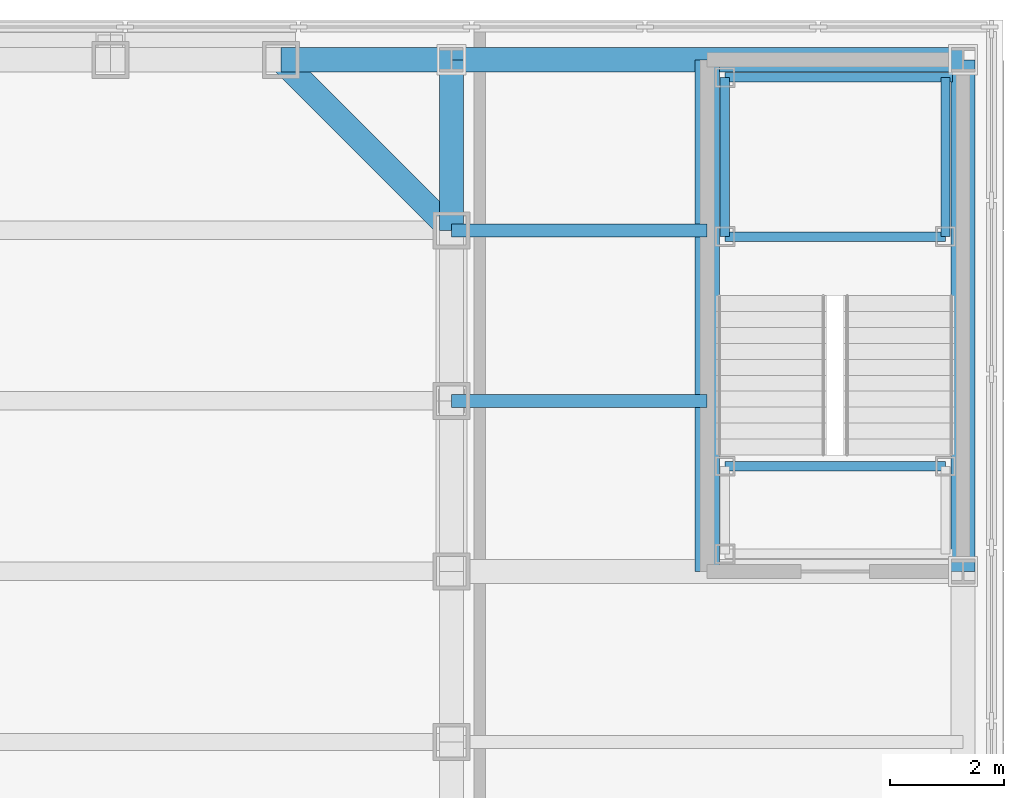
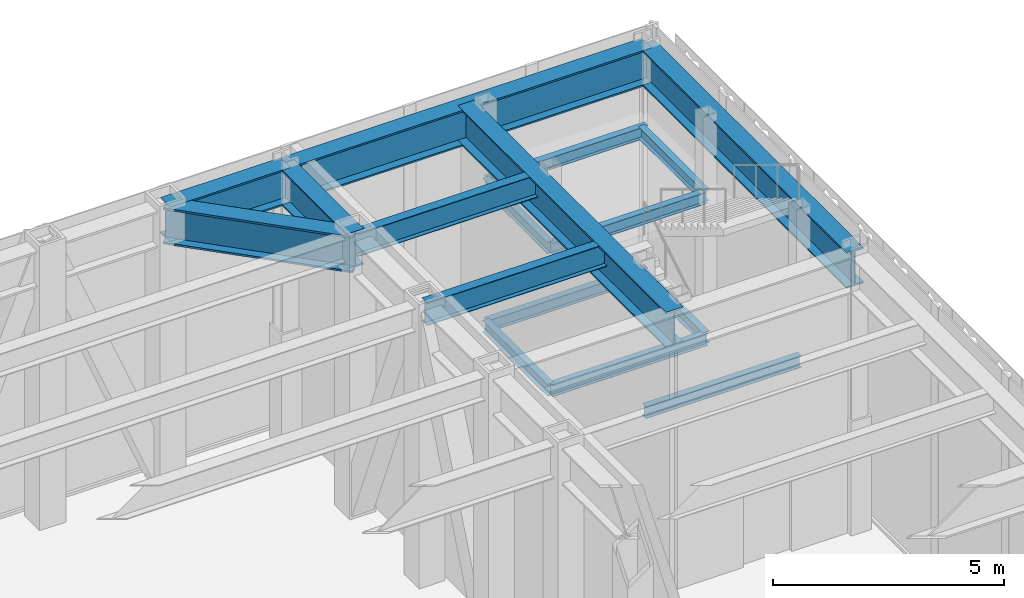
# One storey, part 8 of 34: 17 beams.
"""IFC4 building model written with IfcOpenShell, lengths in metres."""

from ifc_helpers import new_model, si_unit, direction, frame, origin, origin_2d, place, context, subcontext, project, spatial, i_section, extrude, material, material_profile, profile_set, type_object, element, save


model = new_model("IFC4")

# Units and contexts
model_context = context("Model", 3, precision=1e-05, world=origin(), true_north=direction((0.0, 1.0)))
body_context = subcontext(model_context, "Body", "Model", "MODEL_VIEW")
ifc_project = project(units=[si_unit("LENGTHUNIT", "METRE"), si_unit("AREAUNIT", "SQUARE_METRE"), si_unit("VOLUMEUNIT", "CUBIC_METRE"), si_unit("PLANEANGLEUNIT", "RADIAN"), si_unit("MASSUNIT", "GRAM", prefix="KILO")], contexts=[model_context])

# Site, building, storey
site_placement = place(None, origin())
site = spatial("IfcSite", under=ifc_project, at=site_placement, CompositionType="ELEMENT")
building_placement = place(site_placement, origin())
building = spatial("IfcBuilding", under=site, at=building_placement, Name="Chuquiago Exchange Tower", CompositionType="ELEMENT")
storey_placement = place(building_placement, frame((0.0, 0.0, 6.0)))
storey = spatial("IfcBuildingStorey", under=building, at=storey_placement, Name="L01", CompositionType="ELEMENT", Elevation=6.0)

# Beams
ifc_material_1 = material(Name="Steel ASTM A992", Category="steel")
ifc_material_profile_1 = material_profile(ifc_material_1, i_section(OverallWidth=0.164794921875, OverallDepth=0.309814453125, WebThickness=0.005859375, FlangeThickness=0.009765625, at=origin_2d()), Name="W12X26")
ifc_profile_set_1 = profile_set([ifc_material_profile_1], Name="Steel ASTM A992")
beam_type_1 = type_object("IfcBeamType", Name="LS1 W12X26", PredefinedType="BEAM", material=ifc_profile_set_1)
for number, where, z_axis, x_axis, name in (
    (1, (49.81005859375, 41.889892578125, 1.52001953125), (0.0, 1.0, 0.0), (-1.0, 0.0, 0.0), "Stair PS4 L01 landing 1 stringer"),
    (2, (53.68994140625, 41.889892578125, 1.52001953125), (0.0, 1.0, 0.0), (-1.0, 0.0, 0.0), "Stair PS4 L01 landing 1 stringer"),
    (3, (49.81005859375, 41.889892578125, 5.27001953125), (0.0, 1.0, 0.0), (-1.0, 0.0, 0.0), "Stair PS4 L01 landing 3 stringer"),
    (4, (53.68994140625, 41.889892578125, 5.27001953125), (0.0, 1.0, 0.0), (-1.0, 0.0, 0.0), "Stair PS4 L01 landing 3 stringer"),
):
    element("IfcBeam", number, at=place(storey_placement, frame(where, z_axis=z_axis, x_axis=x_axis)), inside=storey, type_object=beam_type_1, Name=name, PredefinedType="BEAM", context=body_context, shape_type="SweptSolid", body=[
        extrude(i_section(OverallWidth=0.164794921875, OverallDepth=0.309814453125, WebThickness=0.005859375, FlangeThickness=0.009765625, at=origin_2d()), origin(), (0.0, 0.0, 1.0), 2.800048828125),
    ])
ifc_material_2 = material(Name="Steel ASTM A992", Category="steel")
ifc_material_profile_2 = material_profile(ifc_material_2, i_section(OverallWidth=0.164794921875, OverallDepth=0.309814453125, WebThickness=0.005859375, FlangeThickness=0.009765625, at=origin_2d()), Name="W12X26")
ifc_profile_set_2 = profile_set([ifc_material_profile_2], Name="Steel ASTM A992")
beam_type_2 = type_object("IfcBeamType", Name="LT1 W12X26", PredefinedType="BEAM", material=ifc_profile_set_2)
beam_1_placement = place(storey_placement, frame((49.81005859375, 44.68994140625, 1.52001953125), z_axis=(1.0, 0.0, 0.0), x_axis=(0.0, 1.0, 0.0)))
element("IfcBeam", 5, at=beam_1_placement, inside=storey, type_object=beam_type_2, Name="Stair PS4 L01 landing 1 trimmer", PredefinedType="BEAM", context=body_context, shape_type="SweptSolid", body=[
    extrude(i_section(OverallWidth=0.164794921875, OverallDepth=0.309814453125, WebThickness=0.005859375, FlangeThickness=0.009765625, at=origin_2d()), origin(), (0.0, 0.0, 1.0), 4.004150390625),
])
for number, where, z_axis, x_axis, name in (
    (6, (49.81005859375, 41.889892578125, 1.52001953125), (1.0, 0.0, 0.0), (0.0, 1.0, 0.0), "Stair PS4 L01 landing 1 trimmer"),
    (7, (49.81005859375, 37.85009765625, 3.39501953125), (1.0, 0.0, 0.0), (0.0, 1.0, 0.0), "Stair PS4 L01 landing 2 trimmer"),
):
    element("IfcBeam", number, at=place(storey_placement, frame(where, z_axis=z_axis, x_axis=x_axis)), inside=storey, type_object=beam_type_2, Name=name, PredefinedType="BEAM", context=body_context, shape_type="SweptSolid", body=[
        extrude(i_section(OverallWidth=0.164794921875, OverallDepth=0.309814453125, WebThickness=0.005859375, FlangeThickness=0.009765625, at=origin_2d()), origin(), (0.0, 0.0, 1.0), 3.8798828125),
    ])
beam_2_placement = place(storey_placement, frame((49.81005859375, 44.68994140625, 5.27001953125), z_axis=(1.0, 0.0, 0.0), x_axis=(0.0, 1.0, 0.0)))
element("IfcBeam", 8, at=beam_2_placement, inside=storey, type_object=beam_type_2, Name="Stair PS4 L01 landing 3 trimmer", PredefinedType="BEAM", context=body_context, shape_type="SweptSolid", body=[
    extrude(i_section(OverallWidth=0.164794921875, OverallDepth=0.309814453125, WebThickness=0.005859375, FlangeThickness=0.009765625, at=origin_2d()), origin(), (0.0, 0.0, 1.0), 4.004150390625),
])
beam_3_placement = place(storey_placement, frame((49.81005859375, 41.889892578125, 5.27001953125), z_axis=(1.0, 0.0, 0.0), x_axis=(0.0, 1.0, 0.0)))
element("IfcBeam", 9, at=beam_3_placement, inside=storey, type_object=beam_type_2, Name="Stair PS4 L01 landing 3 trimmer", PredefinedType="BEAM", context=body_context, shape_type="SweptSolid", body=[
    extrude(i_section(OverallWidth=0.164794921875, OverallDepth=0.309814453125, WebThickness=0.005859375, FlangeThickness=0.009765625, at=origin_2d()), origin(), (0.0, 0.0, 1.0), 3.8798828125),
])
ifc_material_3 = material(Name="Steel ASTM A992", Category="steel")
ifc_material_profile_3 = material_profile(ifc_material_3, i_section(OverallWidth=0.227783203125, OverallDepth=0.60205078125, WebThickness=0.010498046875, FlangeThickness=0.014892578125, at=origin_2d()), Name="W24X68")
ifc_profile_set_3 = profile_set([ifc_material_profile_3], Name="Steel ASTM A992")
beam_type_3 = type_object("IfcBeamType", Name="PB1 W24X68", PredefinedType="BEAM", material=ifc_profile_set_3)
for number, where, z_axis, x_axis, name in (
    (10, (45.0, 39.0, 6.9990234375), (1.0, 0.0, 0.0), (0.0, 1.0, 0.0), "PB-L02-45_39"),
    (11, (45.0, 42.0, 6.9990234375), (1.0, 0.0, 0.0), (0.0, 1.0, 0.0), "PB-L02-45_42"),
):
    element("IfcBeam", number, at=place(storey_placement, frame(where, z_axis=z_axis, x_axis=x_axis)), inside=storey, type_object=beam_type_3, Name=name, PredefinedType="BEAM", context=body_context, shape_type="SweptSolid", body=[
        extrude(i_section(OverallWidth=0.227783203125, OverallDepth=0.60205078125, WebThickness=0.010498046875, FlangeThickness=0.014892578125, at=origin_2d()), origin(), (0.0, 0.0, 1.0), 4.5),
    ])
ifc_material_4 = material(Name="Steel ASTM A992", Category="steel")
ifc_material_profile_4 = material_profile(ifc_material_4, i_section(OverallWidth=0.424072265625, OverallDepth=0.947509765625, WebThickness=0.02392578125, FlangeThickness=0.042724609375, at=origin_2d()), Name="W36X302")
ifc_profile_set_4 = profile_set([ifc_material_profile_4], Name="Steel ASTM A992")
beam_type_4 = type_object("IfcBeamType", Name="PG1 W36X302", PredefinedType="BEAM", material=ifc_profile_set_4)
beam_4_placement = place(storey_placement, frame((45.0, 42.0, 6.826416015625), z_axis=(0.0, 1.0, 0.0), x_axis=(-1.0, 0.0, 0.0)))
element("IfcBeam", 12, at=beam_4_placement, inside=storey, type_object=beam_type_4, Name="PG-L02-45_42-45_45", PredefinedType="BEAM", context=body_context, shape_type="SweptSolid", body=[
    extrude(i_section(OverallWidth=0.424072265625, OverallDepth=0.947509765625, WebThickness=0.02392578125, FlangeThickness=0.042724609375, at=origin_2d()), origin(), (0.0, 0.0, 1.0), 3.0),
])
beam_5_placement = place(storey_placement, frame((54.0, 36.0, 6.826416015625), z_axis=(0.0, 1.0, 0.0), x_axis=(-1.0, 0.0, 0.0)))
element("IfcBeam", 13, at=beam_5_placement, inside=storey, type_object=beam_type_4, Name="PG-L02-54_36-54_45", PredefinedType="BEAM", context=body_context, shape_type="SweptSolid", body=[
    extrude(i_section(OverallWidth=0.424072265625, OverallDepth=0.947509765625, WebThickness=0.02392578125, FlangeThickness=0.042724609375, at=origin_2d()), origin(), (0.0, 0.0, 1.0), 9.0),
])
beam_6_placement = place(storey_placement, frame((42.0, 45.0, 6.826416015625), z_axis=(1.0, 0.0, 0.0), x_axis=(0.0, 1.0, 0.0)))
element("IfcBeam", 14, at=beam_6_placement, inside=storey, type_object=beam_type_4, Name="PG-L02-42_45-45_45", PredefinedType="BEAM", context=body_context, shape_type="SweptSolid", body=[
    extrude(i_section(OverallWidth=0.424072265625, OverallDepth=0.947509765625, WebThickness=0.02392578125, FlangeThickness=0.042724609375, at=origin_2d()), origin(), (0.0, 0.0, 1.0), 3.0),
])
for number, where, z_axis, x_axis, name in (
    (15, (45.0, 45.0, 6.826416015625), (1.0, 0.0, 0.0), (0.0, 1.0, 0.0), "PG-L02-45_45-54_45"),
    (16, (49.5, 36.0, 6.826416015625), (0.0, 1.0, 0.0), (-1.0, 0.0, 0.0), "PT-L02-PS4"),
):
    element("IfcBeam", number, at=place(storey_placement, frame(where, z_axis=z_axis, x_axis=x_axis)), inside=storey, type_object=beam_type_4, Name=name, PredefinedType="BEAM", context=body_context, shape_type="SweptSolid", body=[
        extrude(i_section(OverallWidth=0.424072265625, OverallDepth=0.947509765625, WebThickness=0.02392578125, FlangeThickness=0.042724609375, at=origin_2d()), origin(), (0.0, 0.0, 1.0), 9.0),
    ])
ifc_material_5 = material(Name="Steel ASTM A992", Category="steel")
ifc_material_profile_5 = material_profile(ifc_material_5, i_section(OverallWidth=0.4267578125, OverallDepth=0.95751953125, WebThickness=0.028564453125, FlangeThickness=0.050048828125, at=origin_2d()), Name="W36X361")
ifc_profile_set_5 = profile_set([ifc_material_profile_5], Name="Steel ASTM A992")
beam_type_5 = type_object("IfcBeamType", Name="SP1 W36X361", PredefinedType="SPANDREL", material=ifc_profile_set_5)
beam_7_placement = place(storey_placement, frame((45.0, 42.0, 6.8212890625), z_axis=(-0.707106781187, 0.707106781187, 0.0), x_axis=(-0.707106781187, -0.707106781187, 0.0)))
element("IfcBeam", 17, at=beam_7_placement, inside=storey, type_object=beam_type_5, Name="SPB-L02-45_42-42_45", PredefinedType="SPANDREL", context=body_context, shape_type="SweptSolid", body=[
    extrude(i_section(OverallWidth=0.4267578125, OverallDepth=0.95751953125, WebThickness=0.028564453125, FlangeThickness=0.050048828125, at=origin_2d()), origin(), (0.0, 0.0, 1.0), 4.24267578125),
])

save(model, "model.ifc")
